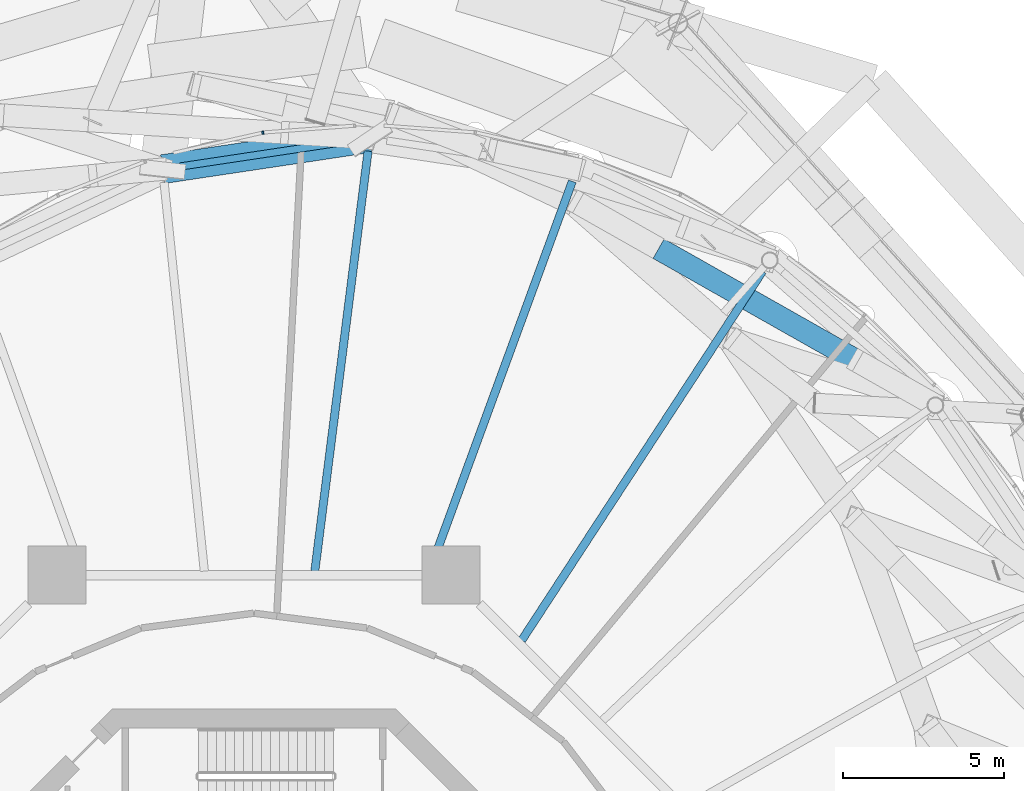
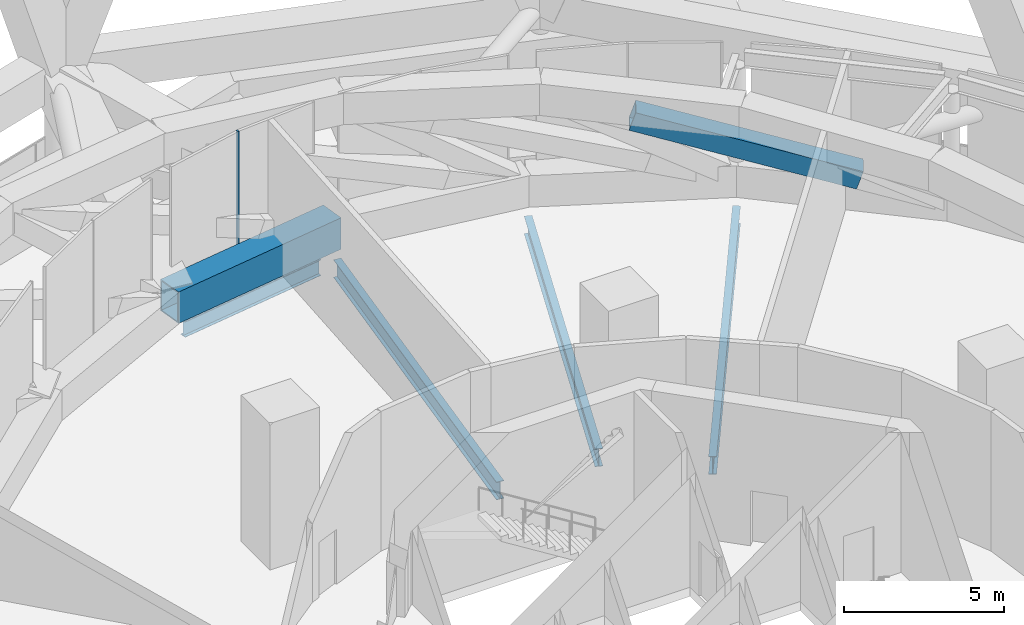
# One storey, part 41 of 60: 6 beams, 1 member, 1 element without a shape of its own.
"""IFC4 building model written with IfcOpenShell, lengths in metres."""

from ifc_helpers import new_model, si_unit, direction, frame, origin, origin_2d, place, context, subcontext, project, spatial, rectangle, hollow_rectangle, i_section, extrude, material, layer, layer_set, material_profile, profile_set, type_object, element, aggregate, save


model = new_model("IFC4")

# Units and contexts
model_context = context("Model", 3, precision=1e-05, world=origin(), true_north=direction((0.0, 1.0)))
body_context = subcontext(model_context, "Body", "Model", "MODEL_VIEW")
ifc_project = project(units=[si_unit("LENGTHUNIT", "METRE"), si_unit("AREAUNIT", "SQUARE_METRE"), si_unit("VOLUMEUNIT", "CUBIC_METRE"), si_unit("PLANEANGLEUNIT", "RADIAN"), si_unit("MASSUNIT", "GRAM", prefix="KILO")], contexts=[model_context])

# Site, building, storey
site_placement = place(None, origin())
site = spatial("IfcSite", under=ifc_project, at=site_placement, CompositionType="ELEMENT")
building_placement = place(site_placement, origin())
building = spatial("IfcBuilding", under=site, at=building_placement, Name="Nagisa Residences", CompositionType="ELEMENT")
storey_placement = place(building_placement, frame((0.0, 0.0, 206.60009765625)))
storey = spatial("IfcBuildingStorey", under=building, at=storey_placement, Name="L52", CompositionType="ELEMENT", Elevation=206.60009765625)

# Beams
ifc_material_1 = material(Name="Steel ASTM A572 Gr 50", Category="steel")
ifc_material_profile_1 = material_profile(ifc_material_1, hollow_rectangle(XDim=0.89990234375, YDim=1.199951171875, WallThickness=0.044921875, at=origin_2d()), Name="BX 900x1200x45")
ifc_profile_set_1 = profile_set([ifc_material_profile_1], Name="Steel ASTM A572 Gr 50")
beam_type_1 = type_object("IfcBeamType", Name="Belt chord 4 BX 900x1200x45", PredefinedType="BEAM", material=ifc_profile_set_1)
beam_1_placement = place(storey_placement, frame((3.60009765625, 28.375, 0.599853515625), z_axis=(-0.988912409684, -0.148499986438, 0.0), x_axis=(0.148499986438, -0.988912409684, 0.0)))
element("IfcBeam", 1, at=beam_1_placement, inside=storey, type_object=beam_type_1, Name="beam:L52:bt4b07", PredefinedType="BEAM", context=body_context, shape_type="SweptSolid", body=[
    extrude(hollow_rectangle(XDim=0.89990234375, YDim=1.199951171875, WallThickness=0.044921875, at=origin_2d()), origin(), (0.0, 0.0, 1.0), 6.510498046875),
])
ifc_material_2 = material(Name="Steel ASTM A572 Gr 50", Category="steel")
ifc_material_profile_2 = material_profile(ifc_material_2, hollow_rectangle(XDim=0.699951171875, YDim=0.699951171875, WallThickness=0.0400390625, at=origin_2d()), Name="BX 700x700x40")
ifc_profile_set_2 = profile_set([ifc_material_profile_2], Name="Steel ASTM A572 Gr 50")
beam_type_2 = type_object("IfcBeamType", Name="Belt diagonal 4 BX 700x700x40", PredefinedType="BEAM", material=ifc_profile_set_2)
beam_2_placement = place(storey_placement, frame((18.685791015625, 21.48095703125, 1.52490234375), z_axis=(-0.828512032275, 0.468875471958, 0.306143110606), x_axis=(-0.492523752749, -0.870299002055, 0.0)))
element("IfcBeam", 2, at=beam_2_placement, inside=storey, type_object=beam_type_2, Name="beam:L52:bt4db04", PredefinedType="BEAM", context=body_context, shape_type="SweptSolid", body=[
    extrude(hollow_rectangle(XDim=0.699951171875, YDim=0.699951171875, WallThickness=0.0400390625, at=origin_2d()), origin(), (0.0, 0.0, 1.0), 7.480224609375),
])

# Curtain wall, member
ifc_material_3 = material(Name="Aluminium curtain wall system", Category="aluminium")
ifc_layer = layer(ifc_material_3, 0.159912109375)
ifc_layer_set = layer_set([ifc_layer], Name="CW5 CURTAIN WALL")
curtain_wall_type = type_object("IfcCurtainWallType", Name="CW5 CURTAIN WALL", PredefinedType="NOTDEFINED", material=ifc_layer_set)
curtain_wall_placement = place(storey_placement, origin())
curtain_wall = element("IfcCurtainWall", 3, at=curtain_wall_placement, inside=storey, type_object=curtain_wall_type, Name="cw:CW5:L52:13", PredefinedType="NOTDEFINED")
ifc_material_4 = material(Name="Aluminium", Category="aluminium")
ifc_material_profile_3 = material_profile(ifc_material_4, rectangle(XDim=0.10009765625, YDim=0.06005859375, at=origin_2d()), Name="CW5 MULLION 100x60")
ifc_profile_set_3 = profile_set([ifc_material_profile_3], Name="Aluminium")
member_type = type_object("IfcMemberType", Name="CW5 MULLION 100x60", PredefinedType="MULLION", material=ifc_profile_set_3)
member_placement = place(storey_placement, frame((0.2763671875, 28.543212890625, 0.0), z_axis=(0.0, 0.0, 1.0), x_axis=(0.2207639201, -0.975327274089, 0.0)))
member = element("IfcMember", 4, at=member_placement, type_object=member_type, Name="CW5 mullion", PredefinedType="MULLION", context=body_context, shape_type="SweptSolid", body=[
    extrude(rectangle(XDim=0.10009765625, YDim=0.06005859375, at=origin_2d()), origin(), (0.0, 0.0, 1.0), 5.33984375),
])
aggregate(curtain_wall, [member])

# Beams
ifc_material_5 = material(Name="Steel ASTM A572 Gr 50", Category="steel")
ifc_material_profile_4 = material_profile(ifc_material_5, i_section(OverallWidth=0.22802734375, OverallDepth=0.60302734375, WebThickness=0.010498046875, FlangeThickness=0.014892578125, at=origin_2d()), Name="W610x101")
ifc_profile_set_4 = profile_set([ifc_material_profile_4], Name="Steel ASTM A572 Gr 50")
beam_type_3 = type_object("IfcBeamType", Name="Perimeter ring beam W610x101", PredefinedType="BEAM", material=ifc_profile_set_4)
beam_3_placement = place(storey_placement, frame((3.06982421875, 28.29541015625, -0.651611328125), z_axis=(-0.988911312658, -0.148507291732, 0.0), x_axis=(0.148507291732, -0.988911312658, 0.0)))
element("IfcBeam", 5, at=beam_3_placement, inside=storey, type_object=beam_type_3, Name="beam:L52:pb07", PredefinedType="BEAM", context=body_context, shape_type="SweptSolid", body=[
    extrude(i_section(OverallWidth=0.22802734375, OverallDepth=0.60302734375, WebThickness=0.010498046875, FlangeThickness=0.014892578125, at=origin_2d()), origin(), (0.0, 0.0, 1.0), 5.438232421875),
])
ifc_material_6 = material(Name="Steel ASTM A572 Gr 50", Category="steel")
ifc_material_profile_5 = material_profile(ifc_material_6, i_section(OverallWidth=0.25390625, OverallDepth=0.68408203125, WebThickness=0.012451171875, FlangeThickness=0.018798828125, at=origin_2d()), Name="W690x140")
ifc_profile_set_5 = profile_set([ifc_material_profile_5], Name="Steel ASTM A572 Gr 50")
beam_type_4 = type_object("IfcBeamType", Name="Radial beam W690x140", PredefinedType="BEAM", material=ifc_profile_set_5)
beam_4_placement = place(storey_placement, frame((15.816162109375, 24.234375, -0.692138671875), z_axis=(-0.546537831829, -0.837434414375, 0.0), x_axis=(0.837434414375, -0.546537831829, 0.0)))
element("IfcBeam", 6, at=beam_4_placement, inside=storey, type_object=beam_type_4, Name="beam:L52:rb05", PredefinedType="BEAM", context=body_context, shape_type="SweptSolid", body=[
    extrude(i_section(OverallWidth=0.25390625, OverallDepth=0.68408203125, WebThickness=0.012451171875, FlangeThickness=0.018798828125, at=origin_2d()), origin(), (0.0, 0.0, 1.0), 13.704345703125),
])
beam_5_placement = place(storey_placement, frame((9.898681640625, 27.02734375, -0.692138671875), z_axis=(-0.343906656608, -0.939003840003, 0.0), x_axis=(0.939003840003, -0.343906656608, 0.0)))
element("IfcBeam", 7, at=beam_5_placement, inside=storey, type_object=beam_type_4, Name="beam:L52:rb06", PredefinedType="BEAM", context=body_context, shape_type="SweptSolid", body=[
    extrude(i_section(OverallWidth=0.25390625, OverallDepth=0.68408203125, WebThickness=0.012451171875, FlangeThickness=0.018798828125, at=origin_2d()), origin(), (0.0, 0.0, 1.0), 12.9052734375),
])
beam_6_placement = place(storey_placement, frame((3.548583984375, 27.9697265625, -0.692138671875), z_axis=(-0.125869416884, -0.992046818398, 0.0), x_axis=(0.992046818398, -0.125869416884, 0.0)))
element("IfcBeam", 8, at=beam_6_placement, inside=storey, type_object=beam_type_4, Name="beam:L52:rb07", PredefinedType="BEAM", context=body_context, shape_type="SweptSolid", body=[
    extrude(i_section(OverallWidth=0.25390625, OverallDepth=0.68408203125, WebThickness=0.012451171875, FlangeThickness=0.018798828125, at=origin_2d()), origin(), (0.0, 0.0, 1.0), 13.166259765625),
])

save(model, "model.ifc")
